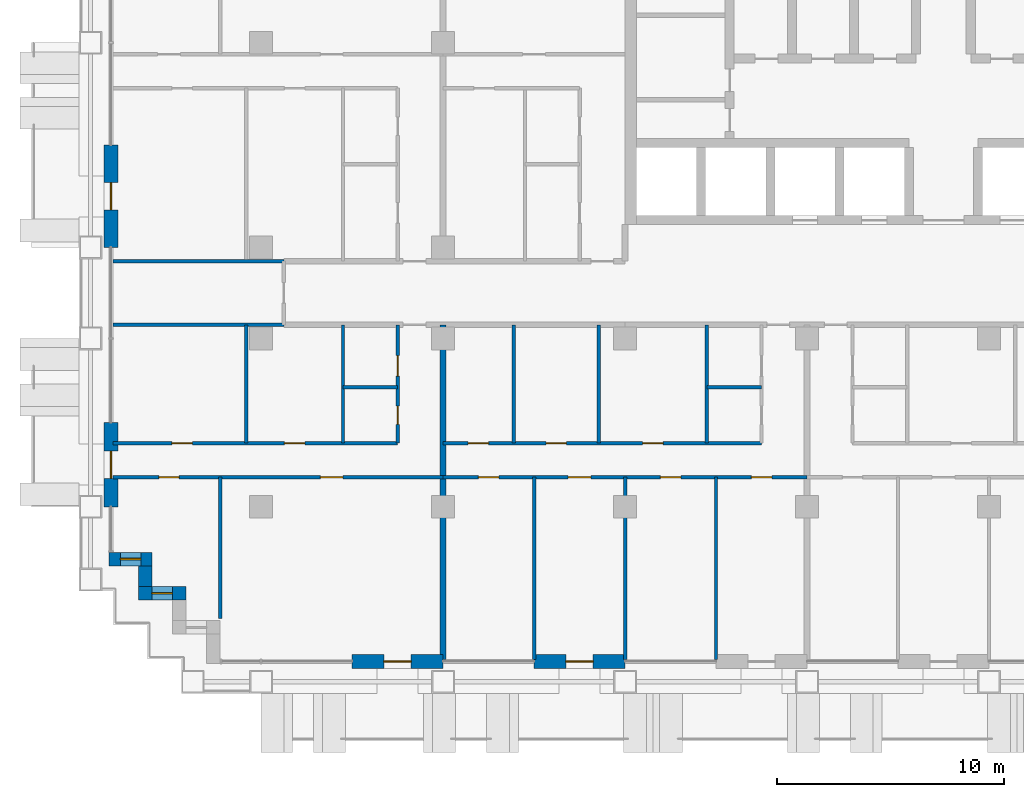
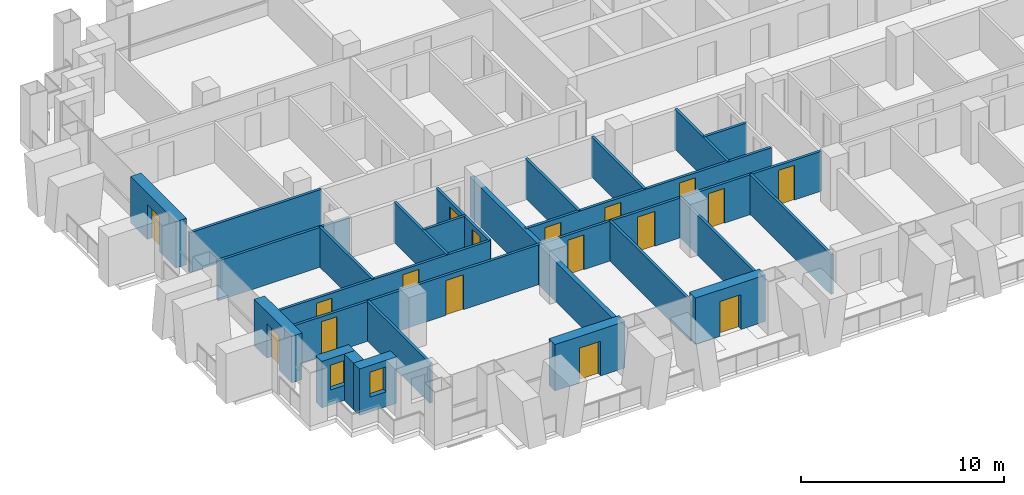
# One storey, part 9 of 19: 26 walls, 17 doors, 2 windows, 19 openings.
"""IFC4 building model written with IfcOpenShell, lengths in metres."""

from ifc_helpers import new_model, si_unit, direction, frame, frame_2d, origin, place, context, subcontext, project, spatial, rectangle, extrude, material, layer, layer_set, type_object, element, fill, save


model = new_model("IFC4")

# Units and contexts
model_context = context("Model", 3, precision=1e-05, world=origin(), true_north=direction((0.0, 1.0)))
body_context = subcontext(model_context, "Body", "Model", "MODEL_VIEW")
ifc_project = project(units=[si_unit("LENGTHUNIT", "METRE"), si_unit("AREAUNIT", "SQUARE_METRE"), si_unit("VOLUMEUNIT", "CUBIC_METRE"), si_unit("PLANEANGLEUNIT", "RADIAN"), si_unit("MASSUNIT", "GRAM", prefix="KILO")], contexts=[model_context])

# Site, building, storey
site_placement = place(None, origin())
site = spatial("IfcSite", under=ifc_project, at=site_placement, CompositionType="ELEMENT")
building_placement = place(site_placement, origin())
building = spatial("IfcBuilding", under=site, at=building_placement, Name="Vidyagriha Tower", CompositionType="ELEMENT")
storey_placement = place(building_placement, frame((0.0, 0.0, 60.800048828125)))
storey = spatial("IfcBuildingStorey", under=building, at=storey_placement, Name="L16", CompositionType="ELEMENT", Elevation=60.800048828125)

# Wall, opening, door
ifc_material_1 = material(Name="Precast concrete C40/50 with brick facing", Category="concrete")
ifc_layer_1 = layer(ifc_material_1, 0.60009765625)
ifc_layer_set_1 = layer_set([ifc_layer_1], Name="Precast concrete C40/50 with brick facing")
wall_type_1 = type_object("IfcWallType", Name="Brick-faced precast wall 600", PredefinedType="STANDARD", material=ifc_layer_set_1)
wall_1_placement = place(storey_placement, frame((-36.60009765625, 6.5, 0.0), z_axis=(0.0, 0.0, 1.0), x_axis=(0.0, -1.0, 0.0)))
wall_1 = element("IfcWall", 1, at=wall_1_placement, inside=storey, type_object=wall_type_1, Name="Brick door bay wall L16 R16.3", PredefinedType="STANDARD", context=body_context, shape_type="SweptSolid", body=[
    extrude(rectangle(XDim=4.5, YDim=0.60009765625, at=frame_2d((2.25, 0.0))), origin(), (0.0, 0.0, 1.0), 2.800048828125),
])
opening_1_placement = place(wall_1_placement, frame((1.64990234375, 0.0, 0.0)))
opening_1 = element("IfcOpeningElement", 2, at=opening_1_placement, cuts=wall_1, Name="Opening D16-81", PredefinedType="OPENING", context=body_context, shape_type="SweptSolid", body=[
    extrude(rectangle(XDim=1.199951171875, YDim=2.10009765625, at=frame_2d((0.60009765625, 1.050048828125))), frame((0.0, 0.31005859375, 0.0), z_axis=(0.0, -1.0, 0.0), x_axis=(1.0, 0.0, 0.0)), (0.0, 0.0, 1.0), 0.6201171875),
])
ifc_material_2 = material(Name="Aluminium framed glazed sliding door", Category="aluminium")
door_type_1 = type_object("IfcDoorType", Name="Balcony sliding door 1200x2100", OperationType="NOTDEFINED", PredefinedType="DOOR", material=ifc_material_2)
door_1_placement = place(opening_1_placement, origin())
door_1 = element("IfcDoor", 3, at=door_1_placement, inside=storey, type_object=door_type_1, Name="Door D16-81", OperationType="SLIDING_TO_LEFT", OverallHeight=2.10009765625, OverallWidth=1.199951171875, PredefinedType="DOOR", context=body_context, shape_type="SweptSolid", body=[
    extrude(rectangle(XDim=1.199951171875, YDim=2.10009765625, at=frame_2d((0.60009765625, 1.050048828125))), frame((0.0, 0.02490234375, 0.0), z_axis=(0.0, -1.0, 0.0), x_axis=(1.0, 0.0, 0.0)), (0.0, 0.0, 1.0), 0.050048828125),
])
fill(opening_1, door_1)

wall_2_placement = place(storey_placement, frame((-36.60009765625, -5.699951171875, 0.0), z_axis=(0.0, 0.0, 1.0), x_axis=(0.0, -1.0, 0.0)))
wall_2 = element("IfcWall", 4, at=wall_2_placement, inside=storey, type_object=wall_type_1, Name="Brick door bay wall L16 R16.6", PredefinedType="STANDARD", context=body_context, shape_type="SweptSolid", body=[
    extrude(rectangle(XDim=3.699951171875, YDim=0.60009765625, at=frame_2d((1.85009765625, 0.0))), origin(), (0.0, 0.0, 1.0), 2.800048828125),
])
opening_2_placement = place(wall_2_placement, frame((1.25, 0.0, 0.0)))
opening_2 = element("IfcOpeningElement", 5, at=opening_2_placement, cuts=wall_2, Name="Opening D16-82", PredefinedType="OPENING", context=body_context, shape_type="SweptSolid", body=[
    extrude(rectangle(XDim=1.199951171875, YDim=2.10009765625, at=frame_2d((0.60009765625, 1.050048828125))), frame((0.0, 0.31005859375, 0.0), z_axis=(0.0, -1.0, 0.0), x_axis=(1.0, 0.0, 0.0)), (0.0, 0.0, 1.0), 0.6201171875),
])
door_2_placement = place(opening_2_placement, origin())
door_2 = element("IfcDoor", 6, at=door_2_placement, inside=storey, type_object=door_type_1, Name="Door D16-82", OperationType="SLIDING_TO_LEFT", OverallHeight=2.10009765625, OverallWidth=1.199951171875, PredefinedType="DOOR", context=body_context, shape_type="SweptSolid", body=[
    extrude(rectangle(XDim=1.199951171875, YDim=2.10009765625, at=frame_2d((0.60009765625, 1.050048828125))), frame((0.0, 0.02490234375, 0.0), z_axis=(0.0, -1.0, 0.0), x_axis=(1.0, 0.0, 0.0)), (0.0, 0.0, 1.0), 0.050048828125),
])
fill(opening_2, door_2)

# Wall, opening, window
wall_3_placement = place(storey_placement, frame((-36.679931640625, -11.699951171875, 0.0)))
wall_3 = element("IfcWall", 7, at=wall_3_placement, inside=storey, type_object=wall_type_1, Name="Stepped corner wall L16 R17", PredefinedType="STANDARD", context=body_context, shape_type="SweptSolid", body=[
    extrude(rectangle(XDim=1.8798828125, YDim=0.60009765625, at=frame_2d((0.93994140625, 0.0))), origin(), (0.0, 0.0, 1.0), 2.800048828125),
])
opening_3_placement = place(wall_3_placement, frame((0.489990234375, 0.0, 0.89990234375)))
opening_3 = element("IfcOpeningElement", 8, at=opening_3_placement, cuts=wall_3, Name="Opening WN1", PredefinedType="OPENING", context=body_context, shape_type="SweptSolid", body=[
    extrude(rectangle(XDim=0.89990234375, YDim=1.5, at=frame_2d((0.449951171875, 0.75))), frame((0.0, 0.31005859375, 0.0), z_axis=(0.0, -1.0, 0.0), x_axis=(1.0, 0.0, 0.0)), (0.0, 0.0, 1.0), 0.6201171875),
])
ifc_material_3 = material(Name="Aluminium and glass window", Category="aluminium")
window_type = type_object("IfcWindowType", Name="Reveal window 900x1500", PartitioningType="NOTDEFINED", PredefinedType="WINDOW", material=ifc_material_3)
window_1_placement = place(opening_3_placement, origin())
window_1 = element("IfcWindow", 9, at=window_1_placement, inside=storey, type_object=window_type, Name="Reveal window L16 R17", OverallHeight=1.5, OverallWidth=0.89990234375, PartitioningType="SINGLE_PANEL", PredefinedType="WINDOW", context=body_context, shape_type="SweptSolid", body=[
    extrude(rectangle(XDim=0.89990234375, YDim=1.5, at=frame_2d((0.449951171875, 0.75))), frame((0.0, 0.030029296875, 0.0), z_axis=(0.0, -1.0, 0.0), x_axis=(1.0, 0.0, 0.0)), (0.0, 0.0, 1.0), 0.06005859375),
])
fill(opening_3, window_1)

# Wall
wall_4_placement = place(storey_placement, frame((-35.10009765625, -12.0, 0.0), z_axis=(0.0, 0.0, 1.0), x_axis=(0.0, -1.0, 0.0)))
element("IfcWall", 10, at=wall_4_placement, inside=storey, type_object=wall_type_1, Name="Stepped corner wall L16 R18", PredefinedType="STANDARD", context=body_context, shape_type="SweptSolid", body=[
    extrude(rectangle(XDim=0.89990234375, YDim=0.60009765625, at=frame_2d((0.449951171875, 0.0))), origin(), (0.0, 0.0, 1.0), 2.800048828125),
])

# Wall, opening, window
wall_5_placement = place(storey_placement, frame((-35.39990234375, -13.199951171875, 0.0)))
wall_5 = element("IfcWall", 11, at=wall_5_placement, inside=storey, type_object=wall_type_1, Name="Stepped corner wall L16 R19", PredefinedType="STANDARD", context=body_context, shape_type="SweptSolid", body=[
    extrude(rectangle(XDim=2.099853515625, YDim=0.60009765625, at=frame_2d((1.0498046875, 0.0))), origin(), (0.0, 0.0, 1.0), 2.800048828125),
])
opening_4_placement = place(wall_5_placement, frame((0.60009765625, 0.0, 0.89990234375)))
opening_4 = element("IfcOpeningElement", 12, at=opening_4_placement, cuts=wall_5, Name="Opening WN1", PredefinedType="OPENING", context=body_context, shape_type="SweptSolid", body=[
    extrude(rectangle(XDim=0.89990234375, YDim=1.5, at=frame_2d((0.449951171875, 0.75))), frame((0.0, 0.31005859375, 0.0), z_axis=(0.0, -1.0, 0.0), x_axis=(1.0, 0.0, 0.0)), (0.0, 0.0, 1.0), 0.6201171875),
])
window_2_placement = place(opening_4_placement, origin())
window_2 = element("IfcWindow", 13, at=window_2_placement, inside=storey, type_object=window_type, Name="Reveal window L16 R19", OverallHeight=1.5, OverallWidth=0.89990234375, PartitioningType="SINGLE_PANEL", PredefinedType="WINDOW", context=body_context, shape_type="SweptSolid", body=[
    extrude(rectangle(XDim=0.89990234375, YDim=1.5, at=frame_2d((0.449951171875, 0.75))), frame((0.0, 0.030029296875, 0.0), z_axis=(0.0, -1.0, 0.0), x_axis=(1.0, 0.0, 0.0)), (0.0, 0.0, 1.0), 0.06005859375),
])
fill(opening_4, window_2)

# Wall, opening, door
wall_6_placement = place(storey_placement, frame((-26.0, -16.199951171875, 0.0)))
wall_6 = element("IfcWall", 14, at=wall_6_placement, inside=storey, type_object=wall_type_1, Name="Brick door bay wall L16 R23.3", PredefinedType="STANDARD", context=body_context, shape_type="SweptSolid", body=[
    extrude(rectangle(XDim=4.0, YDim=0.60009765625, at=frame_2d((2.0, 0.0))), origin(), (0.0, 0.0, 1.0), 2.800048828125),
])
opening_5_placement = place(wall_6_placement, frame((1.39990234375, 0.0, 0.0)))
opening_5 = element("IfcOpeningElement", 15, at=opening_5_placement, cuts=wall_6, Name="Opening D16-83", PredefinedType="OPENING", context=body_context, shape_type="SweptSolid", body=[
    extrude(rectangle(XDim=1.199951171875, YDim=2.10009765625, at=frame_2d((0.60009765625, 1.050048828125))), frame((0.0, 0.31005859375, 0.0), z_axis=(0.0, -1.0, 0.0), x_axis=(1.0, 0.0, 0.0)), (0.0, 0.0, 1.0), 0.6201171875),
])
door_3_placement = place(opening_5_placement, origin())
door_3 = element("IfcDoor", 16, at=door_3_placement, inside=storey, type_object=door_type_1, Name="Door D16-83", OperationType="SLIDING_TO_LEFT", OverallHeight=2.10009765625, OverallWidth=1.199951171875, PredefinedType="DOOR", context=body_context, shape_type="SweptSolid", body=[
    extrude(rectangle(XDim=1.199951171875, YDim=2.10009765625, at=frame_2d((0.60009765625, 1.050048828125))), frame((0.0, 0.02490234375, 0.0), z_axis=(0.0, -1.0, 0.0), x_axis=(1.0, 0.0, 0.0)), (0.0, 0.0, 1.0), 0.050048828125),
])
fill(opening_5, door_3)

wall_7_placement = place(storey_placement, frame((-18.0, -16.199951171875, 0.0)))
wall_7 = element("IfcWall", 17, at=wall_7_placement, inside=storey, type_object=wall_type_1, Name="Brick door bay wall L16 R23.5", PredefinedType="STANDARD", context=body_context, shape_type="SweptSolid", body=[
    extrude(rectangle(XDim=4.0, YDim=0.60009765625, at=frame_2d((2.0, 0.0))), origin(), (0.0, 0.0, 1.0), 2.800048828125),
])
opening_6_placement = place(wall_7_placement, frame((1.39990234375, 0.0, 0.0)))
opening_6 = element("IfcOpeningElement", 18, at=opening_6_placement, cuts=wall_7, Name="Opening D16-84", PredefinedType="OPENING", context=body_context, shape_type="SweptSolid", body=[
    extrude(rectangle(XDim=1.199951171875, YDim=2.10009765625, at=frame_2d((0.60009765625, 1.050048828125))), frame((0.0, 0.31005859375, 0.0), z_axis=(0.0, -1.0, 0.0), x_axis=(1.0, 0.0, 0.0)), (0.0, 0.0, 1.0), 0.6201171875),
])
door_4_placement = place(opening_6_placement, origin())
door_4 = element("IfcDoor", 19, at=door_4_placement, inside=storey, type_object=door_type_1, Name="Door D16-84", OperationType="SLIDING_TO_LEFT", OverallHeight=2.10009765625, OverallWidth=1.199951171875, PredefinedType="DOOR", context=body_context, shape_type="SweptSolid", body=[
    extrude(rectangle(XDim=1.199951171875, YDim=2.10009765625, at=frame_2d((0.60009765625, 1.050048828125))), frame((0.0, 0.02490234375, 0.0), z_axis=(0.0, -1.0, 0.0), x_axis=(1.0, 0.0, 0.0)), (0.0, 0.0, 1.0), 0.050048828125),
])
fill(opening_6, door_4)

# Walls
ifc_material_4 = material(Name="Fired clay brick masonry", Category="masonry")
ifc_layer_2 = layer(ifc_material_4, 0.25)
ifc_layer_set_2 = layer_set([ifc_layer_2], Name="Fired clay brick masonry")
wall_type_2 = type_object("IfcWallType", Name="Fired clay brick demising wall 250", PredefinedType="PARTITIONING", material=ifc_layer_set_2)
wall_8_placement = place(storey_placement, frame((-22.0, -1.39990234375, 0.0), z_axis=(0.0, 0.0, 1.0), x_axis=(0.0, -1.0, 0.0)))
element("IfcWall", 20, at=wall_8_placement, inside=storey, type_object=wall_type_2, Name="Wall all-L16-w035", PredefinedType="PARTITIONING", context=body_context, shape_type="SweptSolid", body=[
    extrude(rectangle(XDim=14.710205078125, YDim=0.25, at=frame_2d((7.35498046875, 0.0))), origin(), (0.0, 0.0, 1.0), 2.39990234375),
])
ifc_material_5 = material(Name="Gypsum board partition")
ifc_layer_3 = layer(ifc_material_5, 0.14990234375)
ifc_layer_set_3 = layer_set([ifc_layer_3], Name="Gypsum board partition")
wall_type_3 = type_object("IfcWallType", Name="Gypsum board partition 150", PredefinedType="PARTITIONING", material=ifc_layer_set_3)
wall_9_placement = place(storey_placement, frame((-24.0, -4.14990234375, 0.0), z_axis=(0.0, 0.0, 1.0), x_axis=(-1.0, 0.0, 0.0)))
element("IfcWall", 21, at=wall_9_placement, inside=storey, type_object=wall_type_3, Name="Wall all-L16-w004", PredefinedType="PARTITIONING", context=body_context, shape_type="SweptSolid", body=[
    extrude(rectangle(XDim=2.39990234375, YDim=0.14990234375, at=frame_2d((1.199951171875, 0.0))), origin(), (0.0, 0.0, 1.0), 2.39990234375),
])
for number, where, z_axis, x_axis, name in (
    (22, (-26.39990234375, -6.60009765625, 0.0), (0.0, 0.0, 1.0), (0.0, 1.0, 0.0), "Wall all-L16-w005"),
    (23, (-30.64990234375, -6.60009765625, 0.0), (0.0, 0.0, 1.0), (0.0, 1.0, 0.0), "Wall all-L16-w006"),
):
    element("IfcWall", number, at=place(storey_placement, frame(where, z_axis=z_axis, x_axis=x_axis)), inside=storey, type_object=wall_type_3, Name=name, PredefinedType="PARTITIONING", context=body_context, shape_type="SweptSolid", body=[
        extrude(rectangle(XDim=5.2001953125, YDim=0.14990234375, at=frame_2d((2.60009765625, 0.0))), origin(), (0.0, 0.0, 1.0), 2.39990234375),
    ])

# Wall, openings, doors
wall_10_placement = place(storey_placement, frame((-36.510009765625, -6.60009765625, 0.0)))
wall_10 = element("IfcWall", 24, at=wall_10_placement, inside=storey, type_object=wall_type_3, Name="Wall all-L16-w007", PredefinedType="PARTITIONING", context=body_context, shape_type="SweptSolid", body=[
    extrude(rectangle(XDim=12.510009765625, YDim=0.14990234375, at=frame_2d((6.2548828125, 0.0))), origin(), (0.0, 0.0, 1.0), 2.39990234375),
])
opening_7_placement = place(wall_10_placement, frame((7.534912109375, 0.0, 0.0)))
opening_7 = element("IfcOpeningElement", 25, at=opening_7_placement, cuts=wall_10, Name="Opening D16-17", PredefinedType="OPENING", context=body_context, shape_type="SweptSolid", body=[
    extrude(rectangle(XDim=0.89990234375, YDim=2.10009765625, at=frame_2d((0.449951171875, 1.050048828125))), frame((0.0, 0.0849609375, 0.0), z_axis=(0.0, -1.0, 0.0), x_axis=(1.0, 0.0, 0.0)), (0.0, 0.0, 1.0), 0.169921875),
])
opening_8_placement = place(wall_10_placement, frame((2.5849609375, 0.0, 0.0)))
opening_8 = element("IfcOpeningElement", 26, at=opening_8_placement, cuts=wall_10, Name="Opening D16-18", PredefinedType="OPENING", context=body_context, shape_type="SweptSolid", body=[
    extrude(rectangle(XDim=0.89990234375, YDim=2.10009765625, at=frame_2d((0.449951171875, 1.050048828125))), frame((0.0, 0.0849609375, 0.0), z_axis=(0.0, -1.0, 0.0), x_axis=(1.0, 0.0, 0.0)), (0.0, 0.0, 1.0), 0.169921875),
])
ifc_material_6 = material(Name="Timber door leaf", Category="wood")
door_type_2 = type_object("IfcDoorType", Name="Room door 900x2100", OperationType="NOTDEFINED", PredefinedType="DOOR", material=ifc_material_6)
door_5_placement = place(opening_7_placement, origin())
door_5 = element("IfcDoor", 27, at=door_5_placement, inside=storey, type_object=door_type_2, Name="Door D16-17", OperationType="SINGLE_SWING_RIGHT", OverallHeight=2.10009765625, OverallWidth=0.89990234375, PredefinedType="DOOR", context=body_context, shape_type="SweptSolid", body=[
    extrude(rectangle(XDim=0.89990234375, YDim=2.10009765625, at=frame_2d((0.449951171875, 1.050048828125))), frame((0.0, 0.02490234375, 0.0), z_axis=(0.0, -1.0, 0.0), x_axis=(1.0, 0.0, 0.0)), (0.0, 0.0, 1.0), 0.050048828125),
])
fill(opening_7, door_5)
door_6_placement = place(opening_8_placement, origin())
door_6 = element("IfcDoor", 28, at=door_6_placement, inside=storey, type_object=door_type_2, Name="Door D16-18", OperationType="SINGLE_SWING_LEFT", OverallHeight=2.10009765625, OverallWidth=0.89990234375, PredefinedType="DOOR", context=body_context, shape_type="SweptSolid", body=[
    extrude(rectangle(XDim=0.89990234375, YDim=2.10009765625, at=frame_2d((0.449951171875, 1.050048828125))), frame((0.0, 0.02490234375, 0.0), z_axis=(0.0, -1.0, 0.0), x_axis=(1.0, 0.0, 0.0)), (0.0, 0.0, 1.0), 0.050048828125),
])
fill(opening_8, door_6)

wall_11_placement = place(storey_placement, frame((-22.0, -8.10009765625, 0.0), z_axis=(0.0, 0.0, 1.0), x_axis=(-1.0, 0.0, 0.0)))
wall_11 = element("IfcWall", 29, at=wall_11_placement, inside=storey, type_object=wall_type_3, Name="Wall all-L16-w010", PredefinedType="PARTITIONING", context=body_context, shape_type="SweptSolid", body=[
    extrude(rectangle(XDim=14.510009765625, YDim=0.14990234375, at=frame_2d((7.2548828125, 0.0))), origin(), (0.0, 0.0, 1.0), 2.39990234375),
])
opening_9_placement = place(wall_11_placement, frame((11.60009765625, 0.0, 0.0)))
opening_9 = element("IfcOpeningElement", 30, at=opening_9_placement, cuts=wall_11, Name="Opening D16-19", PredefinedType="OPENING", context=body_context, shape_type="SweptSolid", body=[
    extrude(rectangle(XDim=0.89990234375, YDim=2.10009765625, at=frame_2d((0.449951171875, 1.050048828125))), frame((0.0, 0.0849609375, 0.0), z_axis=(0.0, -1.0, 0.0), x_axis=(1.0, 0.0, 0.0)), (0.0, 0.0, 1.0), 0.169921875),
])
opening_10_placement = place(wall_11_placement, frame((4.39990234375, 0.0, 0.0)))
opening_10 = element("IfcOpeningElement", 31, at=opening_10_placement, cuts=wall_11, Name="Opening D16-20", PredefinedType="OPENING", context=body_context, shape_type="SweptSolid", body=[
    extrude(rectangle(XDim=1.0, YDim=2.10009765625, at=frame_2d((0.5, 1.050048828125))), frame((0.0, 0.0849609375, 0.0), z_axis=(0.0, -1.0, 0.0), x_axis=(1.0, 0.0, 0.0)), (0.0, 0.0, 1.0), 0.169921875),
])
ifc_material_7 = material(Name="Timber door leaf", Category="wood")
door_type_3 = type_object("IfcDoorType", Name="Room door 1000x2100", OperationType="NOTDEFINED", PredefinedType="DOOR", material=ifc_material_7)
door_7_placement = place(opening_10_placement, origin())
door_7 = element("IfcDoor", 32, at=door_7_placement, inside=storey, type_object=door_type_3, Name="Door D16-20", OperationType="SINGLE_SWING_LEFT", OverallHeight=2.10009765625, OverallWidth=1.0, PredefinedType="DOOR", context=body_context, shape_type="SweptSolid", body=[
    extrude(rectangle(XDim=1.0, YDim=2.10009765625, at=frame_2d((0.5, 1.050048828125))), frame((0.0, 0.02490234375, 0.0), z_axis=(0.0, -1.0, 0.0), x_axis=(1.0, 0.0, 0.0)), (0.0, 0.0, 1.0), 0.050048828125),
])
fill(opening_10, door_7)
door_8_placement = place(opening_9_placement, origin())
door_8 = element("IfcDoor", 33, at=door_8_placement, inside=storey, type_object=door_type_2, Name="Door D16-19", OperationType="SINGLE_SWING_LEFT", OverallHeight=2.10009765625, OverallWidth=0.89990234375, PredefinedType="DOOR", context=body_context, shape_type="SweptSolid", body=[
    extrude(rectangle(XDim=0.89990234375, YDim=2.10009765625, at=frame_2d((0.449951171875, 1.050048828125))), frame((0.0, 0.02490234375, 0.0), z_axis=(0.0, -1.0, 0.0), x_axis=(1.0, 0.0, 0.0)), (0.0, 0.0, 1.0), 0.050048828125),
])
fill(opening_9, door_8)

# Walls
wall_12_placement = place(storey_placement, frame((-31.800048828125, -8.10009765625, 0.0), z_axis=(0.0, 0.0, 1.0), x_axis=(0.0, -1.0, 0.0)))
element("IfcWall", 34, at=wall_12_placement, inside=storey, type_object=wall_type_3, Name="Wall all-L16-w013", PredefinedType="PARTITIONING", context=body_context, shape_type="SweptSolid", body=[
    extrude(rectangle(XDim=6.219970703125, YDim=0.14990234375, at=frame_2d((3.10986328125, 0.0))), origin(), (0.0, 0.0, 1.0), 2.39990234375),
])
wall_13_placement = place(storey_placement, frame((-8.0, -4.14990234375, 0.0), z_axis=(0.0, 0.0, 1.0), x_axis=(-1.0, 0.0, 0.0)))
element("IfcWall", 35, at=wall_13_placement, inside=storey, type_object=wall_type_3, Name="Wall all-L16-w018", PredefinedType="PARTITIONING", context=body_context, shape_type="SweptSolid", body=[
    extrude(rectangle(XDim=2.39990234375, YDim=0.14990234375, at=frame_2d((1.199951171875, 0.0))), origin(), (0.0, 0.0, 1.0), 2.39990234375),
])
for number, where, z_axis, x_axis, name in (
    (36, (-10.39990234375, -6.60009765625, 0.0), (0.0, 0.0, 1.0), (0.0, 1.0, 0.0), "Wall all-L16-w019"),
    (37, (-15.14990234375, -6.60009765625, 0.0), (0.0, 0.0, 1.0), (0.0, 1.0, 0.0), "Wall all-L16-w020"),
    (38, (-18.89990234375, -6.60009765625, 0.0), (0.0, 0.0, 1.0), (0.0, 1.0, 0.0), "Wall all-L16-w021"),
):
    element("IfcWall", number, at=place(storey_placement, frame(where, z_axis=z_axis, x_axis=x_axis)), inside=storey, type_object=wall_type_3, Name=name, PredefinedType="PARTITIONING", context=body_context, shape_type="SweptSolid", body=[
        extrude(rectangle(XDim=5.2001953125, YDim=0.14990234375, at=frame_2d((2.60009765625, 0.0))), origin(), (0.0, 0.0, 1.0), 2.39990234375),
    ])

# Wall, openings, doors
wall_14_placement = place(storey_placement, frame((-22.0, -6.60009765625, 0.0)))
wall_14 = element("IfcWall", 39, at=wall_14_placement, inside=storey, type_object=wall_type_3, Name="Wall all-L16-w022", PredefinedType="PARTITIONING", context=body_context, shape_type="SweptSolid", body=[
    extrude(rectangle(XDim=14.0, YDim=0.14990234375, at=frame_2d((7.0, 0.0))), origin(), (0.0, 0.0, 1.0), 2.39990234375),
])
opening_11_placement = place(wall_14_placement, frame((8.77490234375, 0.0, 0.0)))
opening_11 = element("IfcOpeningElement", 40, at=opening_11_placement, cuts=wall_14, Name="Opening D16-24", PredefinedType="OPENING", context=body_context, shape_type="SweptSolid", body=[
    extrude(rectangle(XDim=0.89990234375, YDim=2.10009765625, at=frame_2d((0.449951171875, 1.050048828125))), frame((0.0, 0.0849609375, 0.0), z_axis=(0.0, -1.0, 0.0), x_axis=(1.0, 0.0, 0.0)), (0.0, 0.0, 1.0), 0.169921875),
])
opening_12_placement = place(wall_14_placement, frame((4.52490234375, 0.0, 0.0)))
opening_12 = element("IfcOpeningElement", 41, at=opening_12_placement, cuts=wall_14, Name="Opening D16-25", PredefinedType="OPENING", context=body_context, shape_type="SweptSolid", body=[
    extrude(rectangle(XDim=0.89990234375, YDim=2.10009765625, at=frame_2d((0.449951171875, 1.050048828125))), frame((0.0, 0.0849609375, 0.0), z_axis=(0.0, -1.0, 0.0), x_axis=(1.0, 0.0, 0.0)), (0.0, 0.0, 1.0), 0.169921875),
])
opening_13_placement = place(wall_14_placement, frame((1.10009765625, 0.0, 0.0)))
opening_13 = element("IfcOpeningElement", 42, at=opening_13_placement, cuts=wall_14, Name="Opening D16-26", PredefinedType="OPENING", context=body_context, shape_type="SweptSolid", body=[
    extrude(rectangle(XDim=0.89990234375, YDim=2.10009765625, at=frame_2d((0.449951171875, 1.050048828125))), frame((0.0, 0.0849609375, 0.0), z_axis=(0.0, -1.0, 0.0), x_axis=(1.0, 0.0, 0.0)), (0.0, 0.0, 1.0), 0.169921875),
])
door_9_placement = place(opening_11_placement, origin())
door_9 = element("IfcDoor", 43, at=door_9_placement, inside=storey, type_object=door_type_2, Name="Door D16-24", OperationType="SINGLE_SWING_RIGHT", OverallHeight=2.10009765625, OverallWidth=0.89990234375, PredefinedType="DOOR", context=body_context, shape_type="SweptSolid", body=[
    extrude(rectangle(XDim=0.89990234375, YDim=2.10009765625, at=frame_2d((0.449951171875, 1.050048828125))), frame((0.0, 0.02490234375, 0.0), z_axis=(0.0, -1.0, 0.0), x_axis=(1.0, 0.0, 0.0)), (0.0, 0.0, 1.0), 0.050048828125),
])
fill(opening_11, door_9)
door_10_placement = place(opening_12_placement, origin())
door_10 = element("IfcDoor", 44, at=door_10_placement, inside=storey, type_object=door_type_2, Name="Door D16-25", OperationType="SINGLE_SWING_RIGHT", OverallHeight=2.10009765625, OverallWidth=0.89990234375, PredefinedType="DOOR", context=body_context, shape_type="SweptSolid", body=[
    extrude(rectangle(XDim=0.89990234375, YDim=2.10009765625, at=frame_2d((0.449951171875, 1.050048828125))), frame((0.0, 0.02490234375, 0.0), z_axis=(0.0, -1.0, 0.0), x_axis=(1.0, 0.0, 0.0)), (0.0, 0.0, 1.0), 0.050048828125),
])
fill(opening_12, door_10)
door_11_placement = place(opening_13_placement, origin())
door_11 = element("IfcDoor", 45, at=door_11_placement, inside=storey, type_object=door_type_2, Name="Door D16-26", OperationType="SINGLE_SWING_RIGHT", OverallHeight=2.10009765625, OverallWidth=0.89990234375, PredefinedType="DOOR", context=body_context, shape_type="SweptSolid", body=[
    extrude(rectangle(XDim=0.89990234375, YDim=2.10009765625, at=frame_2d((0.449951171875, 1.050048828125))), frame((0.0, 0.02490234375, 0.0), z_axis=(0.0, -1.0, 0.0), x_axis=(1.0, 0.0, 0.0)), (0.0, 0.0, 1.0), 0.050048828125),
])
fill(opening_13, door_11)

wall_15_placement = place(storey_placement, frame((-6.0, -8.10009765625, 0.0), z_axis=(0.0, 0.0, 1.0), x_axis=(-1.0, 0.0, 0.0)))
wall_15 = element("IfcWall", 46, at=wall_15_placement, inside=storey, type_object=wall_type_3, Name="Wall all-L16-w026", PredefinedType="PARTITIONING", context=body_context, shape_type="SweptSolid", body=[
    extrude(rectangle(XDim=16.0, YDim=0.14990234375, at=frame_2d((8.0, 0.0))), origin(), (0.0, 0.0, 1.0), 2.39990234375),
])
opening_14_placement = place(wall_15_placement, frame((13.550048828125, 0.0, 0.0)))
opening_14 = element("IfcOpeningElement", 47, at=opening_14_placement, cuts=wall_15, Name="Opening D16-27", PredefinedType="OPENING", context=body_context, shape_type="SweptSolid", body=[
    extrude(rectangle(XDim=0.89990234375, YDim=2.10009765625, at=frame_2d((0.449951171875, 1.050048828125))), frame((0.0, 0.0849609375, 0.0), z_axis=(0.0, -1.0, 0.0), x_axis=(1.0, 0.0, 0.0)), (0.0, 0.0, 1.0), 0.169921875),
])
opening_15_placement = place(wall_15_placement, frame((9.5, 0.0, 0.0)))
opening_15 = element("IfcOpeningElement", 48, at=opening_15_placement, cuts=wall_15, Name="Opening D16-28", PredefinedType="OPENING", context=body_context, shape_type="SweptSolid", body=[
    extrude(rectangle(XDim=1.0, YDim=2.10009765625, at=frame_2d((0.5, 1.050048828125))), frame((0.0, 0.0849609375, 0.0), z_axis=(0.0, -1.0, 0.0), x_axis=(1.0, 0.0, 0.0)), (0.0, 0.0, 1.0), 0.169921875),
])
opening_16_placement = place(wall_15_placement, frame((5.550048828125, 0.0, 0.0)))
opening_16 = element("IfcOpeningElement", 49, at=opening_16_placement, cuts=wall_15, Name="Opening D16-29", PredefinedType="OPENING", context=body_context, shape_type="SweptSolid", body=[
    extrude(rectangle(XDim=0.89990234375, YDim=2.10009765625, at=frame_2d((0.449951171875, 1.050048828125))), frame((0.0, 0.0849609375, 0.0), z_axis=(0.0, -1.0, 0.0), x_axis=(1.0, 0.0, 0.0)), (0.0, 0.0, 1.0), 0.169921875),
])
opening_17_placement = place(wall_15_placement, frame((1.550048828125, 0.0, 0.0)))
opening_17 = element("IfcOpeningElement", 50, at=opening_17_placement, cuts=wall_15, Name="Opening D16-30", PredefinedType="OPENING", context=body_context, shape_type="SweptSolid", body=[
    extrude(rectangle(XDim=0.89990234375, YDim=2.10009765625, at=frame_2d((0.449951171875, 1.050048828125))), frame((0.0, 0.0849609375, 0.0), z_axis=(0.0, -1.0, 0.0), x_axis=(1.0, 0.0, 0.0)), (0.0, 0.0, 1.0), 0.169921875),
])
door_12_placement = place(opening_15_placement, origin())
door_12 = element("IfcDoor", 51, at=door_12_placement, inside=storey, type_object=door_type_3, Name="Door D16-28", OperationType="SINGLE_SWING_RIGHT", OverallHeight=2.10009765625, OverallWidth=1.0, PredefinedType="DOOR", context=body_context, shape_type="SweptSolid", body=[
    extrude(rectangle(XDim=1.0, YDim=2.10009765625, at=frame_2d((0.5, 1.050048828125))), frame((0.0, 0.02490234375, 0.0), z_axis=(0.0, -1.0, 0.0), x_axis=(1.0, 0.0, 0.0)), (0.0, 0.0, 1.0), 0.050048828125),
])
fill(opening_15, door_12)
door_13_placement = place(opening_14_placement, origin())
door_13 = element("IfcDoor", 52, at=door_13_placement, inside=storey, type_object=door_type_2, Name="Door D16-27", OperationType="SINGLE_SWING_RIGHT", OverallHeight=2.10009765625, OverallWidth=0.89990234375, PredefinedType="DOOR", context=body_context, shape_type="SweptSolid", body=[
    extrude(rectangle(XDim=0.89990234375, YDim=2.10009765625, at=frame_2d((0.449951171875, 1.050048828125))), frame((0.0, 0.02490234375, 0.0), z_axis=(0.0, -1.0, 0.0), x_axis=(1.0, 0.0, 0.0)), (0.0, 0.0, 1.0), 0.050048828125),
])
fill(opening_14, door_13)
door_14_placement = place(opening_16_placement, origin())
door_14 = element("IfcDoor", 53, at=door_14_placement, inside=storey, type_object=door_type_2, Name="Door D16-29", OperationType="SINGLE_SWING_RIGHT", OverallHeight=2.10009765625, OverallWidth=0.89990234375, PredefinedType="DOOR", context=body_context, shape_type="SweptSolid", body=[
    extrude(rectangle(XDim=0.89990234375, YDim=2.10009765625, at=frame_2d((0.449951171875, 1.050048828125))), frame((0.0, 0.02490234375, 0.0), z_axis=(0.0, -1.0, 0.0), x_axis=(1.0, 0.0, 0.0)), (0.0, 0.0, 1.0), 0.050048828125),
])
fill(opening_16, door_14)
door_15_placement = place(opening_17_placement, origin())
door_15 = element("IfcDoor", 54, at=door_15_placement, inside=storey, type_object=door_type_2, Name="Door D16-30", OperationType="SINGLE_SWING_RIGHT", OverallHeight=2.10009765625, OverallWidth=0.89990234375, PredefinedType="DOOR", context=body_context, shape_type="SweptSolid", body=[
    extrude(rectangle(XDim=0.89990234375, YDim=2.10009765625, at=frame_2d((0.449951171875, 1.050048828125))), frame((0.0, 0.02490234375, 0.0), z_axis=(0.0, -1.0, 0.0), x_axis=(1.0, 0.0, 0.0)), (0.0, 0.0, 1.0), 0.050048828125),
])
fill(opening_17, door_15)

# Walls
wall_16_placement = place(storey_placement, frame((-18.0, -8.10009765625, 0.0), z_axis=(0.0, 0.0, 1.0), x_axis=(0.0, -1.0, 0.0)))
element("IfcWall", 55, at=wall_16_placement, inside=storey, type_object=wall_type_3, Name="Wall all-L16-w031", PredefinedType="PARTITIONING", context=body_context, shape_type="SweptSolid", body=[
    extrude(rectangle(XDim=8.02099609375, YDim=0.14990234375, at=frame_2d((4.010498046875, 0.0))), origin(), (0.0, 0.0, 1.0), 2.39990234375),
])
wall_17_placement = place(storey_placement, frame((-14.0, -8.10009765625, 0.0), z_axis=(0.0, 0.0, 1.0), x_axis=(0.0, -1.0, 0.0)))
element("IfcWall", 56, at=wall_17_placement, inside=storey, type_object=wall_type_3, Name="Wall all-L16-w032", PredefinedType="PARTITIONING", context=body_context, shape_type="SweptSolid", body=[
    extrude(rectangle(XDim=8.010009765625, YDim=0.14990234375, at=frame_2d((4.0048828125, 0.0))), origin(), (0.0, 0.0, 1.0), 2.39990234375),
])
wall_18_placement = place(storey_placement, frame((-10.0, -8.10009765625, 0.0), z_axis=(0.0, 0.0, 1.0), x_axis=(0.0, -1.0, 0.0)))
element("IfcWall", 57, at=wall_18_placement, inside=storey, type_object=wall_type_3, Name="Wall all-L16-w033", PredefinedType="PARTITIONING", context=body_context, shape_type="SweptSolid", body=[
    extrude(rectangle(XDim=8.02099609375, YDim=0.14990234375, at=frame_2d((4.010498046875, 0.0))), origin(), (0.0, 0.0, 1.0), 2.39990234375),
])
wall_19_placement = place(storey_placement, frame((-29.0, -1.39990234375, 0.0), z_axis=(0.0, 0.0, 1.0), x_axis=(-1.0, 0.0, 0.0)))
element("IfcWall", 58, at=wall_19_placement, inside=storey, type_object=wall_type_3, Name="Wall all-L16-w090", PredefinedType="PARTITIONING", context=body_context, shape_type="SweptSolid", body=[
    extrude(rectangle(XDim=7.52001953125, YDim=0.14990234375, at=frame_2d((3.760009765625, 0.0))), origin(), (0.0, 0.0, 1.0), 2.39990234375),
])
wall_20_placement = place(storey_placement, frame((-36.52001953125, 1.39990234375, 0.0)))
element("IfcWall", 59, at=wall_20_placement, inside=storey, type_object=wall_type_3, Name="Wall all-L16-w119", PredefinedType="PARTITIONING", context=body_context, shape_type="SweptSolid", body=[
    extrude(rectangle(XDim=7.52001953125, YDim=0.14990234375, at=frame_2d((3.760009765625, 0.0))), origin(), (0.0, 0.0, 1.0), 2.39990234375),
])

# Wall, openings, doors
ifc_material_8 = material(Name="Moisture resistant gypsum board partition")
ifc_layer_4 = layer(ifc_material_8, 0.14990234375)
ifc_layer_set_4 = layer_set([ifc_layer_4], Name="Moisture resistant gypsum board partition")
wall_type_4 = type_object("IfcWallType", Name="Gypsum board wet-area partition 150", PredefinedType="PARTITIONING", material=ifc_layer_set_4)
wall_21_placement = place(storey_placement, frame((-24.0, -6.60009765625, 0.0), z_axis=(0.0, 0.0, 1.0), x_axis=(0.0, 1.0, 0.0)))
wall_21 = element("IfcWall", 60, at=wall_21_placement, inside=storey, type_object=wall_type_4, Name="Wall all-L16-w001", PredefinedType="PARTITIONING", context=body_context, shape_type="SweptSolid", body=[
    extrude(rectangle(XDim=5.2001953125, YDim=0.14990234375, at=frame_2d((2.60009765625, 0.0))), origin(), (0.0, 0.0, 1.0), 2.39990234375),
])
opening_18_placement = place(wall_21_placement, frame((2.93994140625, 0.0, 0.0)))
opening_18 = element("IfcOpeningElement", 61, at=opening_18_placement, cuts=wall_21, Name="Opening D16-15", PredefinedType="OPENING", context=body_context, shape_type="SweptSolid", body=[
    extrude(rectangle(XDim=0.89990234375, YDim=2.10009765625, at=frame_2d((0.449951171875, 1.050048828125))), frame((0.0, 0.0849609375, 0.0), z_axis=(0.0, -1.0, 0.0), x_axis=(1.0, 0.0, 0.0)), (0.0, 0.0, 1.0), 0.169921875),
])
opening_19_placement = place(wall_21_placement, frame((0.824951171875, 0.0, 0.0)))
opening_19 = element("IfcOpeningElement", 62, at=opening_19_placement, cuts=wall_21, Name="Opening D16-16", PredefinedType="OPENING", context=body_context, shape_type="SweptSolid", body=[
    extrude(rectangle(XDim=0.800048828125, YDim=2.10009765625, at=frame_2d((0.39990234375, 1.050048828125))), frame((0.0, 0.0849609375, 0.0), z_axis=(0.0, -1.0, 0.0), x_axis=(1.0, 0.0, 0.0)), (0.0, 0.0, 1.0), 0.169921875),
])
ifc_material_9 = material(Name="Timber door leaf", Category="wood")
door_type_4 = type_object("IfcDoorType", Name="Bathroom door 800x2100", OperationType="NOTDEFINED", PredefinedType="DOOR", material=ifc_material_9)
door_16_placement = place(opening_19_placement, origin())
door_16 = element("IfcDoor", 63, at=door_16_placement, inside=storey, type_object=door_type_4, Name="Door D16-16", OperationType="SINGLE_SWING_RIGHT", OverallHeight=2.10009765625, OverallWidth=0.800048828125, PredefinedType="DOOR", context=body_context, shape_type="SweptSolid", body=[
    extrude(rectangle(XDim=0.800048828125, YDim=2.10009765625, at=frame_2d((0.39990234375, 1.050048828125))), frame((0.0, 0.02490234375, 0.0), z_axis=(0.0, -1.0, 0.0), x_axis=(1.0, 0.0, 0.0)), (0.0, 0.0, 1.0), 0.050048828125),
])
fill(opening_19, door_16)
ifc_material_10 = material(Name="Timber door leaf", Category="wood")
door_type_5 = type_object("IfcDoorType", Name="Kitchen door 900x2100", OperationType="NOTDEFINED", PredefinedType="DOOR", material=ifc_material_10)
door_17_placement = place(opening_18_placement, origin())
door_17 = element("IfcDoor", 64, at=door_17_placement, inside=storey, type_object=door_type_5, Name="Door D16-15", OperationType="SINGLE_SWING_LEFT", OverallHeight=2.10009765625, OverallWidth=0.89990234375, PredefinedType="DOOR", context=body_context, shape_type="SweptSolid", body=[
    extrude(rectangle(XDim=0.89990234375, YDim=2.10009765625, at=frame_2d((0.449951171875, 1.050048828125))), frame((0.0, 0.02490234375, 0.0), z_axis=(0.0, -1.0, 0.0), x_axis=(1.0, 0.0, 0.0)), (0.0, 0.0, 1.0), 0.050048828125),
])
fill(opening_18, door_17)

save(model, "model.ifc")
